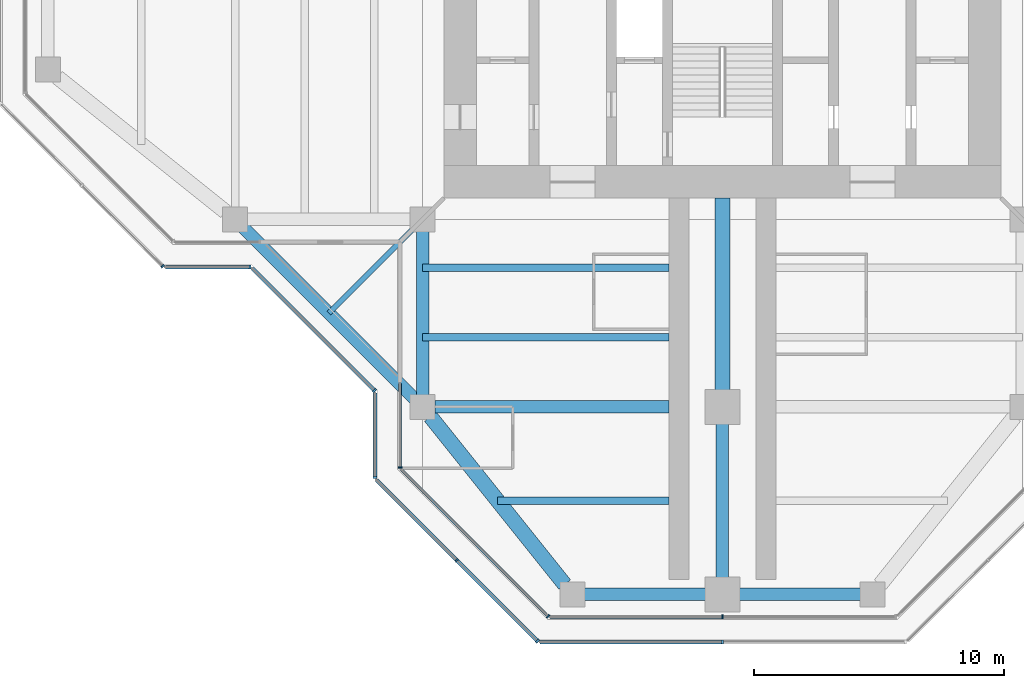
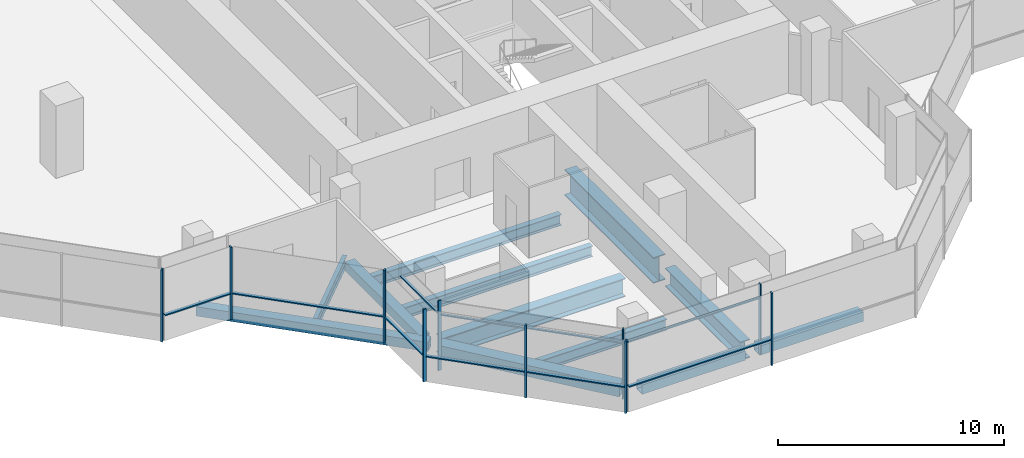
# One storey, part 2 of 15: 19 members, 12 beams, 9 elements without a shape of their own.
"""IFC4 building model written with IfcOpenShell, lengths in metres."""

from ifc_helpers import new_model, si_unit, direction, frame, origin, origin_2d, place, context, subcontext, project, spatial, rectangle, hollow_rectangle, i_section, extrude, material, material_profile, profile_set, type_object, element, aggregate, save


model = new_model("IFC4")

# Units and contexts
model_context = context("Model", 3, precision=1e-05, world=origin(), true_north=direction((0.0, 1.0)))
body_context = subcontext(model_context, "Body", "Model", "MODEL_VIEW")
ifc_project = project(units=[si_unit("LENGTHUNIT", "METRE"), si_unit("AREAUNIT", "SQUARE_METRE"), si_unit("VOLUMEUNIT", "CUBIC_METRE"), si_unit("PLANEANGLEUNIT", "RADIAN"), si_unit("MASSUNIT", "GRAM", prefix="KILO")], contexts=[model_context])

# Site, building, storey
site_placement = place(None, origin())
site = spatial("IfcSite", under=ifc_project, at=site_placement, CompositionType="ELEMENT")
building_placement = place(site_placement, origin())
building = spatial("IfcBuilding", under=site, at=building_placement, Name="Mizan Broadcast Tower", CompositionType="ELEMENT")
storey_placement = place(building_placement, frame((0.0, 0.0, 271.199951171875)))
storey = spatial("IfcBuildingStorey", under=building, at=storey_placement, Name="L64", CompositionType="ELEMENT", Elevation=271.199951171875)

# Beams
ifc_material_1 = material(Name="Steel S355", Category="steel")
ifc_material_profile_1 = material_profile(ifc_material_1, hollow_rectangle(XDim=0.5, YDim=0.5, WallThickness=0.030029296875, at=origin_2d()), Name="BOX 500x500x30")
ifc_profile_set_1 = profile_set([ifc_material_profile_1], Name="Steel S355")
beam_type_1 = type_object("IfcBeamType", Name="EDGE BEAM BOX 500x500x30", PredefinedType="SPANDREL", material=ifc_profile_set_1)
beam_1_placement = place(storey_placement, frame((-12.0, -12.449951171875, -0.3798828125), z_axis=(0.0, -1.0, 0.0), x_axis=(1.0, 0.0, 0.0)))
element("IfcBeam", 1, at=beam_1_placement, inside=storey, type_object=beam_type_1, Name="Edge beam BOX 500x500x30 L64 south arm", PredefinedType="SPANDREL", context=body_context, shape_type="SweptSolid", body=[
    extrude(hollow_rectangle(XDim=0.5, YDim=0.5, WallThickness=0.030029296875, at=origin_2d()), origin(), (0.0, 0.0, 1.0), 6.60009765625),
])
for number, where, z_axis, x_axis, name in (
    (2, (-5.639892578125, -27.0, -0.3798828125), (1.0, 0.0, 0.0), (0.0, 1.0, 0.0), "Edge beam BOX 500x500x30 L64 south arm"),
    (3, (5.639892578125, -27.0, -0.3798828125), (-1.0, 0.0, 0.0), (0.0, -1.0, 0.0), "Edge beam BOX 500x500x30 L64 south arm"),
):
    element("IfcBeam", number, at=place(storey_placement, frame(where, z_axis=z_axis, x_axis=x_axis)), inside=storey, type_object=beam_type_1, Name=name, PredefinedType="SPANDREL", context=body_context, shape_type="SweptSolid", body=[
        extrude(hollow_rectangle(XDim=0.5, YDim=0.5, WallThickness=0.030029296875, at=origin_2d()), origin(), (0.0, 0.0, 1.0), 5.27978515625),
    ])
beam_2_placement = place(storey_placement, frame((-19.5, -12.0, -0.3798828125), z_axis=(0.707106781187, -0.707106781187, 0.0), x_axis=(0.707106781187, 0.707106781187, 0.0)))
element("IfcBeam", 4, at=beam_2_placement, inside=storey, type_object=beam_type_1, Name="Winter garden edge beam L64 W", PredefinedType="SPANDREL", context=body_context, shape_type="SweptSolid", body=[
    extrude(hollow_rectangle(XDim=0.5, YDim=0.5, WallThickness=0.030029296875, at=origin_2d()), origin(), (0.0, 0.0, 1.0), 10.606689453125),
])
ifc_material_2 = material(Name="Steel S355", Category="steel")
ifc_material_profile_2 = material_profile(ifc_material_2, hollow_rectangle(XDim=0.60009765625, YDim=0.60009765625, WallThickness=0.030029296875, at=origin_2d()), Name="BOX 600x600x30")
ifc_profile_set_2 = profile_set([ifc_material_profile_2], Name="Steel S355")
beam_type_2 = type_object("IfcBeamType", Name="EDGE BEAM BOX 600x600x30", PredefinedType="SPANDREL", material=ifc_profile_set_2)
beam_3_placement = place(storey_placement, frame((-11.687744140625, -19.890380859375, -0.429931640625), z_axis=(0.62470196761, -0.780863273348, 0.0), x_axis=(0.780863273348, 0.62470196761, 0.0)))
element("IfcBeam", 5, at=beam_3_placement, inside=storey, type_object=beam_type_2, Name="Edge beam BOX 600x600x30 L64 south arm", PredefinedType="SPANDREL", context=body_context, shape_type="SweptSolid", body=[
    extrude(hollow_rectangle(XDim=0.60009765625, YDim=0.60009765625, WallThickness=0.030029296875, at=origin_2d()), origin(), (0.0, 0.0, 1.0), 8.60498046875),
])
ifc_material_3 = material(Name="Steel S460", Category="steel")
ifc_material_profile_3 = material_profile(ifc_material_3, i_section(OverallWidth=0.5, OverallDepth=1.0, WebThickness=0.02490234375, FlangeThickness=0.050048828125, at=origin_2d()), Name="WPG 1000x500")
ifc_profile_set_3 = profile_set([ifc_material_profile_3], Name="Steel S460")
beam_type_3 = type_object("IfcBeamType", Name="GIRDER WPG 1000x500", PredefinedType="BEAM", material=ifc_profile_set_3)
beam_4_placement = place(storey_placement, frame((0.0, -19.949951171875, -0.6298828125), z_axis=(0.0, -1.0, 0.0), x_axis=(1.0, 0.0, 0.0)))
element("IfcBeam", 6, at=beam_4_placement, inside=storey, type_object=beam_type_3, Name="Girder WPG 1000x500 L64 south arm", PredefinedType="BEAM", context=body_context, shape_type="SweptSolid", body=[
    extrude(i_section(OverallWidth=0.5, OverallDepth=1.0, WebThickness=0.02490234375, FlangeThickness=0.050048828125, at=origin_2d()), origin(), (0.0, 0.0, 1.0), 6.60009765625),
])
beam_5_placement = place(storey_placement, frame((-11.5, -19.5, -0.6298828125), z_axis=(1.0, 0.0, 0.0), x_axis=(0.0, 1.0, 0.0)))
element("IfcBeam", 7, at=beam_5_placement, inside=storey, type_object=beam_type_3, Name="Girder WPG 1000x500 L64 south arm", PredefinedType="BEAM", context=body_context, shape_type="SweptSolid", body=[
    extrude(i_section(OverallWidth=0.5, OverallDepth=1.0, WebThickness=0.02490234375, FlangeThickness=0.050048828125, at=origin_2d()), origin(), (0.0, 0.0, 1.0), 9.35009765625),
])
ifc_material_4 = material(Name="Steel S460", Category="steel")
ifc_material_profile_4 = material_profile(ifc_material_4, i_section(OverallWidth=0.60009765625, OverallDepth=1.39990234375, WebThickness=0.02490234375, FlangeThickness=0.06005859375, at=origin_2d()), Name="WPG 1400x600")
ifc_profile_set_4 = profile_set([ifc_material_profile_4], Name="Steel S460")
beam_type_4 = type_object("IfcBeamType", Name="GIRDER WPG 1400x600", PredefinedType="BEAM", material=ifc_profile_set_4)
beam_6_placement = place(storey_placement, frame((0.0, -11.14990234375, -0.829833984375), z_axis=(0.0, -1.0, 0.0), x_axis=(1.0, 0.0, 0.0)))
element("IfcBeam", 8, at=beam_6_placement, inside=storey, type_object=beam_type_4, Name="Girder WPG 1400x600 L64 south arm", PredefinedType="BEAM", context=body_context, shape_type="SweptSolid", body=[
    extrude(i_section(OverallWidth=0.60009765625, OverallDepth=1.39990234375, WebThickness=0.02490234375, FlangeThickness=0.06005859375, at=origin_2d()), origin(), (0.0, 0.0, 1.0), 7.84912109375),
])

# Curtain wall, member
ifc_material_5 = material(Name="Aluminium framed glazing", Category="aluminium")
curtain_wall_type_1 = type_object("IfcCurtainWallType", Name="INNER SKIN TOP ZONE", PredefinedType="USERDEFINED", material=ifc_material_5)
curtain_wall_1_placement = place(storey_placement, origin())
curtain_wall_1 = element("IfcCurtainWall", 9, at=curtain_wall_1_placement, inside=storey, type_object=curtain_wall_type_1, Name="Inner skin top zone L64 S side", ObjectType="INNER SKIN TOP ZONE", PredefinedType="USERDEFINED")
ifc_material_6 = material(Name="Aluminium, pale anodised", Category="aluminium")
ifc_material_profile_5 = material_profile(ifc_material_6, rectangle(XDim=0.159912109375, YDim=0.06005859375, at=origin_2d()), Name="MULLION 160x60")
ifc_profile_set_5 = profile_set([ifc_material_profile_5], Name="Aluminium, pale anodised")
member_type_1 = type_object("IfcMemberType", Name="INNER SKIN MULLION 60x160", PredefinedType="MULLION", material=ifc_profile_set_5)
member_1_placement = place(storey_placement, frame((-12.89990234375, -21.928466796875, 0.0), z_axis=(0.0, 0.0, 1.0), x_axis=(1.0, 0.0, 0.0)))
member_1 = element("IfcMember", 10, at=member_1_placement, type_object=member_type_1, Name="Inner skin top zone L64 S side mullion 2", PredefinedType="MULLION", context=body_context, shape_type="SweptSolid", body=[
    extrude(rectangle(XDim=0.159912109375, YDim=0.06005859375, at=origin_2d()), origin(), (0.0, 0.0, 1.0), 3.77001953125),
])

curtain_wall_2_placement = place(storey_placement, origin())
curtain_wall_2 = element("IfcCurtainWall", 11, at=curtain_wall_2_placement, inside=storey, type_object=curtain_wall_type_1, Name="Inner skin top zone L64 S chamfer", ObjectType="INNER SKIN TOP ZONE", PredefinedType="USERDEFINED")
member_2_placement = place(storey_placement, frame((-6.979736328125, -27.87890625, 0.0), z_axis=(0.0, 0.0, 1.0), x_axis=(0.707106781187, 0.707106781187, 0.0)))
member_2 = element("IfcMember", 12, at=member_2_placement, type_object=member_type_1, Name="Inner skin top zone L64 S chamfer mullion 2", PredefinedType="MULLION", context=body_context, shape_type="SweptSolid", body=[
    extrude(rectangle(XDim=0.159912109375, YDim=0.06005859375, at=origin_2d()), origin(), (0.0, 0.0, 1.0), 3.77001953125),
])

curtain_wall_3_placement = place(storey_placement, origin())
curtain_wall_3 = element("IfcCurtainWall", 13, at=curtain_wall_3_placement, inside=storey, type_object=curtain_wall_type_1, Name="Inner skin top zone L64 S end", ObjectType="INNER SKIN TOP ZONE", PredefinedType="USERDEFINED")
member_3_placement = place(storey_placement, frame((0.0, -27.89990234375, 0.0), z_axis=(0.0, 0.0, 1.0), x_axis=(0.0, 1.0, 0.0)))
member_3 = element("IfcMember", 14, at=member_3_placement, type_object=member_type_1, Name="Inner skin top zone L64 S end mullion 2", PredefinedType="MULLION", context=body_context, shape_type="SweptSolid", body=[
    extrude(rectangle(XDim=0.159912109375, YDim=0.06005859375, at=origin_2d()), origin(), (0.0, 0.0, 1.0), 3.77001953125),
])

# Member
ifc_material_7 = material(Name="Aluminium, pale anodised", Category="aluminium")
ifc_material_profile_6 = material_profile(ifc_material_7, rectangle(XDim=0.1201171875, YDim=0.06005859375, at=origin_2d()), Name="TRANSOM 120x60")
ifc_profile_set_6 = profile_set([ifc_material_profile_6], Name="Aluminium, pale anodised")
member_type_2 = type_object("IfcMemberType", Name="INNER SKIN TRANSOM 60x120", PredefinedType="USERDEFINED", material=ifc_profile_set_6)
member_4_placement = place(storey_placement, frame((-12.89990234375, -18.56005859375, 3.030029296875), z_axis=(0.0, -1.0, 0.0), x_axis=(1.0, 0.0, 0.0)))
member_4 = element("IfcMember", 15, at=member_4_placement, type_object=member_type_2, Name="Inner skin top zone L64 S side transom 1.1", ObjectType="TRANSOM", PredefinedType="USERDEFINED", context=body_context, shape_type="SweptSolid", body=[
    extrude(rectangle(XDim=0.1201171875, YDim=0.06005859375, at=origin_2d()), origin(), (0.0, 0.0, 1.0), 3.338623046875),
])

aggregate(curtain_wall_1, [member_1, member_4])

member_5_placement = place(storey_placement, frame((-12.857666015625, -22.0009765625, 3.030029296875), z_axis=(0.707106781187, -0.707106781187, 0.0), x_axis=(0.707106781187, 0.707106781187, 0.0)))
member_5 = element("IfcMember", 16, at=member_5_placement, type_object=member_type_2, Name="Inner skin top zone L64 S chamfer transom 1.1", ObjectType="TRANSOM", PredefinedType="USERDEFINED", context=body_context, shape_type="SweptSolid", body=[
    extrude(rectangle(XDim=0.1201171875, YDim=0.06005859375, at=origin_2d()), origin(), (0.0, 0.0, 1.0), 8.28271484375),
])

aggregate(curtain_wall_2, [member_2, member_5])

member_6_placement = place(storey_placement, frame((-6.898681640625, -27.89990234375, 3.030029296875), z_axis=(1.0, 0.0, 0.0), x_axis=(0.0, 1.0, 0.0)))
member_6 = element("IfcMember", 17, at=member_6_placement, type_object=member_type_2, Name="Inner skin top zone L64 S end transom 1.1", ObjectType="TRANSOM", PredefinedType="USERDEFINED", context=body_context, shape_type="SweptSolid", body=[
    extrude(rectangle(XDim=0.1201171875, YDim=0.06005859375, at=origin_2d()), origin(), (0.0, 0.0, 1.0), 6.86865234375),
])

aggregate(curtain_wall_3, [member_3, member_6])

# Curtain wall, member
ifc_material_8 = material(Name="Aluminium framed glazing", Category="aluminium")
curtain_wall_type_2 = type_object("IfcCurtainWallType", Name="OUTER SKIN", PredefinedType="USERDEFINED", material=ifc_material_8)
curtain_wall_4_placement = place(storey_placement, origin())
curtain_wall_4 = element("IfcCurtainWall", 18, at=curtain_wall_4_placement, inside=storey, type_object=curtain_wall_type_2, Name="Outer skin L64 W chamfer", ObjectType="OUTER SKIN", PredefinedType="USERDEFINED")
ifc_material_9 = material(Name="Aluminium, pale anodised", Category="aluminium")
ifc_material_profile_7 = material_profile(ifc_material_9, rectangle(XDim=0.159912109375, YDim=0.080078125, at=origin_2d()), Name="MULLION 160x80")
ifc_profile_set_7 = profile_set([ifc_material_profile_7], Name="Aluminium, pale anodised")
member_type_3 = type_object("IfcMemberType", Name="OUTER SKIN MULLION 80x160", PredefinedType="MULLION", material=ifc_profile_set_7)
member_7_placement = place(storey_placement, frame((-22.401123046875, -13.871826171875, 0.0), z_axis=(0.0, 0.0, 1.0), x_axis=(0.707106781187, 0.707106781187, 0.0)))
member_7 = element("IfcMember", 19, at=member_7_placement, type_object=member_type_3, Name="Outer skin L64 W chamfer mullion 3", PredefinedType="MULLION", context=body_context, shape_type="SweptSolid", body=[
    extrude(rectangle(XDim=0.159912109375, YDim=0.080078125, at=origin_2d()), origin(), (0.0, 0.0, 1.0), 3.900146484375),
])
aggregate(curtain_wall_4, [member_7])

curtain_wall_5_placement = place(storey_placement, origin())
curtain_wall_5 = element("IfcCurtainWall", 20, at=curtain_wall_5_placement, inside=storey, type_object=curtain_wall_type_2, Name="Outer skin L64 W side", ObjectType="OUTER SKIN", PredefinedType="USERDEFINED")
member_8_placement = place(storey_placement, frame((-18.912841796875, -13.89990234375, 0.0), z_axis=(0.0, 0.0, 1.0), x_axis=(0.0, 1.0, 0.0)))
member_8 = element("IfcMember", 21, at=member_8_placement, type_object=member_type_3, Name="Outer skin L64 W side mullion 2", PredefinedType="MULLION", context=body_context, shape_type="SweptSolid", body=[
    extrude(rectangle(XDim=0.159912109375, YDim=0.080078125, at=origin_2d()), origin(), (0.0, 0.0, 1.0), 3.900146484375),
])

curtain_wall_6_placement = place(storey_placement, origin())
curtain_wall_6 = element("IfcCurtainWall", 22, at=curtain_wall_6_placement, inside=storey, type_object=curtain_wall_type_2, Name="Outer skin L64 W chamfer", ObjectType="OUTER SKIN", PredefinedType="USERDEFINED")
member_9_placement = place(storey_placement, frame((-13.92822265625, -18.844482421875, 0.0), z_axis=(0.0, 0.0, 1.0), x_axis=(0.707106781187, 0.707106781187, 0.0)))
member_9 = element("IfcMember", 23, at=member_9_placement, type_object=member_type_3, Name="Outer skin L64 W chamfer mullion 2", PredefinedType="MULLION", context=body_context, shape_type="SweptSolid", body=[
    extrude(rectangle(XDim=0.159912109375, YDim=0.080078125, at=origin_2d()), origin(), (0.0, 0.0, 1.0), 3.900146484375),
])

curtain_wall_7_placement = place(storey_placement, origin())
curtain_wall_7 = element("IfcCurtainWall", 24, at=curtain_wall_7_placement, inside=storey, type_object=curtain_wall_type_2, Name="Outer skin L64 S side", ObjectType="OUTER SKIN", PredefinedType="USERDEFINED")
member_10_placement = place(storey_placement, frame((-13.89990234375, -22.332763671875, 0.0), z_axis=(0.0, 0.0, 1.0), x_axis=(1.0, 0.0, 0.0)))
member_10 = element("IfcMember", 25, at=member_10_placement, type_object=member_type_3, Name="Outer skin L64 S side mullion 2", PredefinedType="MULLION", context=body_context, shape_type="SweptSolid", body=[
    extrude(rectangle(XDim=0.159912109375, YDim=0.080078125, at=origin_2d()), origin(), (0.0, 0.0, 1.0), 3.900146484375),
])

# Curtain wall, members
curtain_wall_8_placement = place(storey_placement, origin())
curtain_wall_8 = element("IfcCurtainWall", 26, at=curtain_wall_8_placement, inside=storey, type_object=curtain_wall_type_2, Name="Outer skin L64 S chamfer", ObjectType="OUTER SKIN", PredefinedType="USERDEFINED")
member_11_placement = place(storey_placement, frame((-10.636474609375, -25.636474609375, 0.0), z_axis=(0.0, 0.0, 1.0), x_axis=(0.707106781187, 0.707106781187, 0.0)))
member_11 = element("IfcMember", 27, at=member_11_placement, type_object=member_type_3, Name="Outer skin L64 S chamfer mullion 2", PredefinedType="MULLION", context=body_context, shape_type="SweptSolid", body=[
    extrude(rectangle(XDim=0.159912109375, YDim=0.080078125, at=origin_2d()), origin(), (0.0, 0.0, 1.0), 3.900146484375),
])
member_12_placement = place(storey_placement, frame((-7.401123046875, -28.871826171875, 0.0), z_axis=(0.0, 0.0, 1.0), x_axis=(0.707106781187, 0.707106781187, 0.0)))
member_12 = element("IfcMember", 28, at=member_12_placement, type_object=member_type_3, Name="Outer skin L64 S chamfer mullion 3", PredefinedType="MULLION", context=body_context, shape_type="SweptSolid", body=[
    extrude(rectangle(XDim=0.159912109375, YDim=0.080078125, at=origin_2d()), origin(), (0.0, 0.0, 1.0), 3.900146484375),
])

# Curtain wall, member
curtain_wall_9_placement = place(storey_placement, origin())
curtain_wall_9 = element("IfcCurtainWall", 29, at=curtain_wall_9_placement, inside=storey, type_object=curtain_wall_type_2, Name="Outer skin L64 S end", ObjectType="OUTER SKIN", PredefinedType="USERDEFINED")
member_13_placement = place(storey_placement, frame((0.0, -28.89990234375, 0.0), z_axis=(0.0, 0.0, 1.0), x_axis=(0.0, 1.0, 0.0)))
member_13 = element("IfcMember", 30, at=member_13_placement, type_object=member_type_3, Name="Outer skin L64 S end mullion 2", PredefinedType="MULLION", context=body_context, shape_type="SweptSolid", body=[
    extrude(rectangle(XDim=0.159912109375, YDim=0.080078125, at=origin_2d()), origin(), (0.0, 0.0, 1.0), 3.900146484375),
])

# Member
ifc_material_10 = material(Name="Aluminium, pale anodised", Category="aluminium")
ifc_material_profile_8 = material_profile(ifc_material_10, rectangle(XDim=0.159912109375, YDim=0.06005859375, at=origin_2d()), Name="TRANSOM 160x60")
ifc_profile_set_8 = profile_set([ifc_material_profile_8], Name="Aluminium, pale anodised")
member_type_4 = type_object("IfcMemberType", Name="OUTER SKIN TRANSOM 60x160", PredefinedType="USERDEFINED", material=ifc_profile_set_8)
member_14_placement = place(storey_placement, frame((-22.292724609375, -13.89990234375, 1.400146484375), z_axis=(1.0, 0.0, 0.0), x_axis=(0.0, 1.0, 0.0)))
member_14 = element("IfcMember", 31, at=member_14_placement, type_object=member_type_4, Name="Outer skin L64 W side transom 1.1", ObjectType="TRANSOM", PredefinedType="USERDEFINED", context=body_context, shape_type="SweptSolid", body=[
    extrude(rectangle(XDim=0.159912109375, YDim=0.06005859375, at=origin_2d()), origin(), (0.0, 0.0, 1.0), 3.33984375),
])

aggregate(curtain_wall_5, [member_8, member_14])

member_15_placement = place(storey_placement, frame((-18.816162109375, -13.95654296875, 1.400146484375), z_axis=(0.707106781187, -0.707106781187, 0.0), x_axis=(0.707106781187, 0.707106781187, 0.0)))
member_15 = element("IfcMember", 32, at=member_15_placement, type_object=member_type_4, Name="Outer skin L64 W chamfer transom 1.1", ObjectType="TRANSOM", PredefinedType="USERDEFINED", context=body_context, shape_type="SweptSolid", body=[
    extrude(rectangle(XDim=0.159912109375, YDim=0.06005859375, at=origin_2d()), origin(), (0.0, 0.0, 1.0), 6.87255859375),
])

aggregate(curtain_wall_6, [member_9, member_15])

member_16_placement = place(storey_placement, frame((-13.89990234375, -18.952880859375, 1.400146484375), z_axis=(0.0, -1.0, 0.0), x_axis=(1.0, 0.0, 0.0)))
member_16 = element("IfcMember", 33, at=member_16_placement, type_object=member_type_4, Name="Outer skin L64 S side transom 1.1", ObjectType="TRANSOM", PredefinedType="USERDEFINED", context=body_context, shape_type="SweptSolid", body=[
    extrude(rectangle(XDim=0.159912109375, YDim=0.06005859375, at=origin_2d()), origin(), (0.0, 0.0, 1.0), 3.33984375),
])

aggregate(curtain_wall_7, [member_10, member_16])

member_17_placement = place(storey_placement, frame((-13.843505859375, -22.429443359375, 1.400146484375), z_axis=(0.707106781187, -0.707106781187, 0.0), x_axis=(0.707106781187, 0.707106781187, 0.0)))
member_17 = element("IfcMember", 34, at=member_17_placement, type_object=member_type_4, Name="Outer skin L64 S chamfer transom 1.1", ObjectType="TRANSOM", PredefinedType="USERDEFINED", context=body_context, shape_type="SweptSolid", body=[
    extrude(rectangle(XDim=0.159912109375, YDim=0.06005859375, at=origin_2d()), origin(), (0.0, 0.0, 1.0), 4.495361328125),
])

member_18_placement = place(storey_placement, frame((-10.608154296875, -25.664794921875, 1.400146484375), z_axis=(0.707106781187, -0.707106781187, 0.0), x_axis=(0.707106781187, 0.707106781187, 0.0)))
member_18 = element("IfcMember", 35, at=member_18_placement, type_object=member_type_4, Name="Outer skin L64 S chamfer transom 2.1", ObjectType="TRANSOM", PredefinedType="USERDEFINED", context=body_context, shape_type="SweptSolid", body=[
    extrude(rectangle(XDim=0.159912109375, YDim=0.06005859375, at=origin_2d()), origin(), (0.0, 0.0, 1.0), 4.495361328125),
])

aggregate(curtain_wall_8, [member_11, member_12, member_17, member_18])

member_19_placement = place(storey_placement, frame((-7.292724609375, -28.89990234375, 1.400146484375), z_axis=(1.0, 0.0, 0.0), x_axis=(0.0, 1.0, 0.0)))
member_19 = element("IfcMember", 36, at=member_19_placement, type_object=member_type_4, Name="Outer skin L64 S end transom 1.1", ObjectType="TRANSOM", PredefinedType="USERDEFINED", context=body_context, shape_type="SweptSolid", body=[
    extrude(rectangle(XDim=0.159912109375, YDim=0.06005859375, at=origin_2d()), origin(), (0.0, 0.0, 1.0), 7.252685546875),
])

aggregate(curtain_wall_9, [member_13, member_19])

# Beams
ifc_material_11 = material(Name="Steel S355", Category="steel")
ifc_material_profile_9 = material_profile(ifc_material_11, i_section(OverallWidth=0.300048828125, OverallDepth=0.590087890625, WebThickness=0.012939453125, FlangeThickness=0.02490234375, FilletRadius=0.027099609375, at=origin_2d()), Name="HEA 600")
ifc_profile_set_9 = profile_set([ifc_material_profile_9], Name="Steel S355")
beam_type_5 = type_object("IfcBeamType", Name="SECONDARY BEAM HEA 600", PredefinedType="JOIST", material=ifc_profile_set_9)
for number, where, z_axis, x_axis, name in (
    (37, (-12.0, -13.933349609375, -0.425048828125), (1.0, 0.0, 0.0), (0.0, 1.0, 0.0), "Secondary beam HEA 600 L64 south arm"),
    (38, (-12.0, -16.716552734375, -0.425048828125), (1.0, 0.0, 0.0), (0.0, 1.0, 0.0), "Secondary beam HEA 600 L64 south arm"),
):
    element("IfcBeam", number, at=place(storey_placement, frame(where, z_axis=z_axis, x_axis=x_axis)), inside=storey, type_object=beam_type_5, Name=name, PredefinedType="JOIST", context=body_context, shape_type="SweptSolid", body=[
        extrude(i_section(OverallWidth=0.300048828125, OverallDepth=0.590087890625, WebThickness=0.012939453125, FlangeThickness=0.02490234375, FilletRadius=0.027099609375, at=origin_2d()), origin(), (0.0, 0.0, 1.0), 9.85009765625),
    ])
beam_7_placement = place(storey_placement, frame((-9.0, -23.25, -0.425048828125), z_axis=(1.0, 0.0, 0.0), x_axis=(0.0, 1.0, 0.0)))
element("IfcBeam", 39, at=beam_7_placement, inside=storey, type_object=beam_type_5, Name="Secondary beam HEA 600 L64 south arm", PredefinedType="JOIST", context=body_context, shape_type="SweptSolid", body=[
    extrude(i_section(OverallWidth=0.300048828125, OverallDepth=0.590087890625, WebThickness=0.012939453125, FlangeThickness=0.02490234375, FilletRadius=0.027099609375, at=origin_2d()), origin(), (0.0, 0.0, 1.0), 6.85009765625),
])
ifc_material_12 = material(Name="Steel S355", Category="steel")
ifc_material_profile_10 = material_profile(ifc_material_12, i_section(OverallWidth=0.2099609375, OverallDepth=0.550048828125, WebThickness=0.010986328125, FlangeThickness=0.01708984375, FilletRadius=0.02392578125, at=origin_2d()), Name="IPE 550")
ifc_profile_set_10 = profile_set([ifc_material_profile_10], Name="Steel S355")
beam_type_6 = type_object("IfcBeamType", Name="SECONDARY BEAM IPE 550", PredefinedType="JOIST", material=ifc_profile_set_10)
beam_8_placement = place(storey_placement, frame((-12.0, -12.0, -0.405029296875), z_axis=(-0.707106781187, -0.707106781187, 0.0), x_axis=(0.707106781187, -0.707106781187, 0.0)))
element("IfcBeam", 40, at=beam_8_placement, inside=storey, type_object=beam_type_6, Name="Winter garden beam L64 W", PredefinedType="JOIST", context=body_context, shape_type="SweptSolid", body=[
    extrude(i_section(OverallWidth=0.2099609375, OverallDepth=0.550048828125, WebThickness=0.010986328125, FlangeThickness=0.01708984375, FilletRadius=0.02392578125, at=origin_2d()), origin(), (0.0, 0.0, 1.0), 5.30322265625),
])

save(model, "model.ifc")
